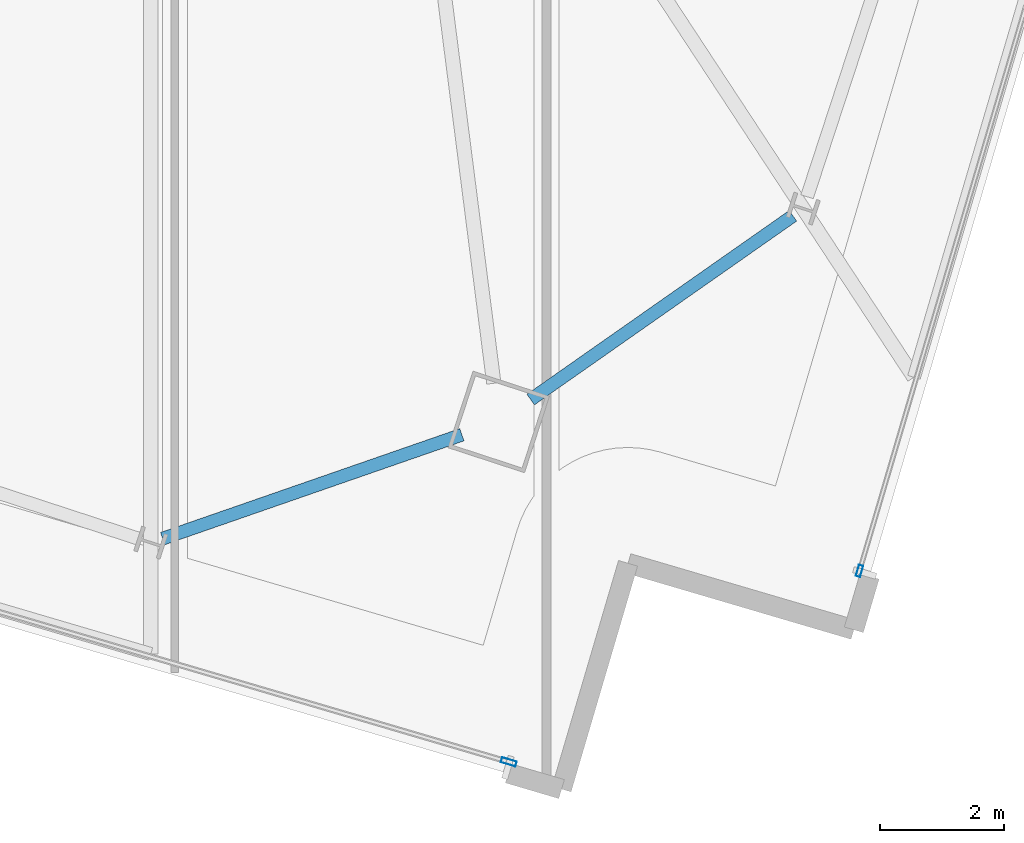
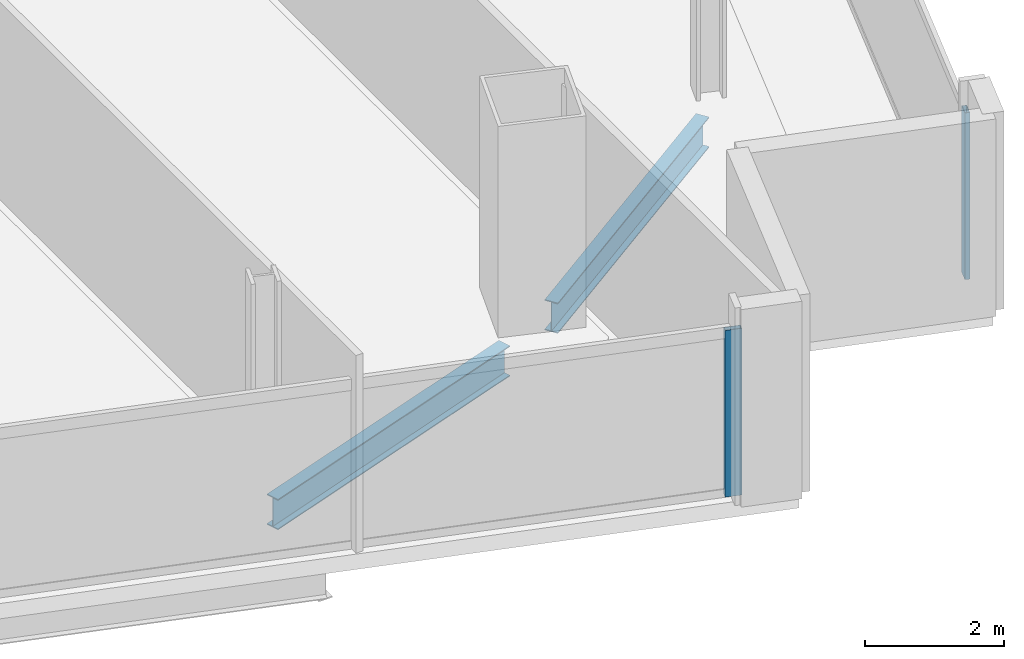
# One storey, part 8 of 26: 2 beams, 2 members, 2 elements without a shape of their own.
"""IFC4 building model written with IfcOpenShell, lengths in metres."""

from ifc_helpers import new_model, si_unit, direction, frame, origin, origin_2d, place, context, subcontext, project, spatial, hollow_rectangle, i_section, extrude, material, material_profile, profile_set, type_object, element, aggregate, save


model = new_model("IFC4")

# Units and contexts
model_context = context("Model", 3, precision=1e-05, world=origin(), true_north=direction((0.0, 1.0)))
body_context = subcontext(model_context, "Body", "Model", "MODEL_VIEW")
ifc_project = project(units=[si_unit("LENGTHUNIT", "METRE"), si_unit("AREAUNIT", "SQUARE_METRE"), si_unit("VOLUMEUNIT", "CUBIC_METRE"), si_unit("PLANEANGLEUNIT", "RADIAN"), si_unit("MASSUNIT", "GRAM", prefix="KILO")], contexts=[model_context])

# Site, building, storey
site_placement = place(None, origin())
site = spatial("IfcSite", under=ifc_project, at=site_placement, CompositionType="ELEMENT")
building_placement = place(site_placement, origin())
building = spatial("IfcBuilding", under=site, at=building_placement, Name="Haldenkirk Collegiate Tower", CompositionType="ELEMENT")
storey_placement = place(building_placement, frame((0.0, 0.0, 274.949951171875)))
storey = spatial("IfcBuildingStorey", under=building, at=storey_placement, Name="L69", CompositionType="ELEMENT", Elevation=274.949951171875)

# Beams
ifc_material_1 = material(Name="Steel ASTM A992 Grade 50", Category="steel")
ifc_material_profile_1 = material_profile(ifc_material_1, i_section(OverallWidth=0.2099609375, OverallDepth=0.537109375, WebThickness=0.010986328125, FlangeThickness=0.017333984375, at=origin_2d()), Name="W21X68")
ifc_profile_set_1 = profile_set([ifc_material_profile_1], Name="Steel ASTM A992 Grade 50")
beam_type = type_object("IfcBeamType", Name="BM-SPANDREL-W21X68", PredefinedType="SPANDREL", material=ifc_profile_set_1)
beam_1_placement = place(storey_placement, frame((47.243896484375, 4.805908203125, -0.538330078125), z_axis=(0.818943373955, 0.573874333156, 0.0), x_axis=(-0.573874333156, 0.818943373955, 0.0)))
element("IfcBeam", 1, at=beam_1_placement, inside=storey, type_object=beam_type, Name="L69 perimeter spandrel beam 01", PredefinedType="SPANDREL", context=body_context, shape_type="SweptSolid", body=[
    extrude(i_section(OverallWidth=0.2099609375, OverallDepth=0.537109375, WebThickness=0.010986328125, FlangeThickness=0.017333984375, at=origin_2d()), origin(), (0.0, 0.0, 1.0), 5.16943359375),
])
beam_2_placement = place(storey_placement, frame((41.302490234375, 2.56103515625, -0.538330078125), z_axis=(0.944700169719, 0.327935343221, 0.0), x_axis=(-0.327935343221, 0.944700169719, 0.0)))
element("IfcBeam", 2, at=beam_2_placement, inside=storey, type_object=beam_type, Name="L69 perimeter spandrel beam 16", PredefinedType="SPANDREL", context=body_context, shape_type="SweptSolid", body=[
    extrude(i_section(OverallWidth=0.2099609375, OverallDepth=0.537109375, WebThickness=0.010986328125, FlangeThickness=0.017333984375, at=origin_2d()), origin(), (0.0, 0.0, 1.0), 5.113037109375),
])

# Curtain wall, member
ifc_material_2 = material(Name="Anodised architectural bronze aluminium", Category="aluminium")
curtain_wall_type_1 = type_object("IfcCurtainWallType", Name="CW-SYS2-CONCAVE", PredefinedType="USERDEFINED", material=ifc_material_2)
curtain_wall_1_placement = place(storey_placement, origin())
curtain_wall_1 = element("IfcCurtainWall", 3, at=curtain_wall_1_placement, inside=storey, type_object=curtain_wall_type_1, Name="L69 South concave recessed bronze-anodised curtain wall", ObjectType="UNITISED CURTAIN WALL", PredefinedType="USERDEFINED")
ifc_material_profile_2 = material_profile(ifc_material_2, hollow_rectangle(XDim=0.074951171875, YDim=0.18994140625, WallThickness=0.0048828125, at=origin_2d()), Name="CW-MUL-02")
ifc_profile_set_2 = profile_set([ifc_material_profile_2], Name="Anodised architectural bronze aluminium")
member_type_1 = type_object("IfcMemberType", Name="CW-MUL-02", PredefinedType="MULLION", material=ifc_profile_set_2)
member_1_placement = place(storey_placement, frame((52.55322265625, 2.0390625, 0.0), z_axis=(0.0, 0.0, 1.0), x_axis=(0.9593141571, -0.282340836558, 0.0)))
member_1 = element("IfcMember", 4, at=member_1_placement, type_object=member_type_1, Name="CW-02 mullion 4", PredefinedType="MULLION", context=body_context, shape_type="SweptSolid", body=[
    extrude(hollow_rectangle(XDim=0.074951171875, YDim=0.18994140625, WallThickness=0.0048828125, at=origin_2d()), origin(), (0.0, 0.0, 1.0), 2.93798828125),
])
aggregate(curtain_wall_1, [member_1])

curtain_wall_type_2 = type_object("IfcCurtainWallType", Name="CW-SYS1B-CONVEX-HI", PredefinedType="USERDEFINED", material=ifc_material_2)
curtain_wall_2_placement = place(storey_placement, origin())
curtain_wall_2 = element("IfcCurtainWall", 5, at=curtain_wall_2_placement, inside=storey, type_object=curtain_wall_type_2, Name="L69 Upper tower high-wind convex bronze unitised curtain wall", ObjectType="UNITISED CURTAIN WALL", PredefinedType="USERDEFINED")
ifc_material_profile_3 = material_profile(ifc_material_2, hollow_rectangle(XDim=0.0849609375, YDim=0.25, WallThickness=0.0048828125, at=origin_2d()), Name="CW-MUL-1B")
ifc_profile_set_3 = profile_set([ifc_material_profile_3], Name="Anodised architectural bronze aluminium")
member_type_2 = type_object("IfcMemberType", Name="CW-MUL-1B", PredefinedType="MULLION", material=ifc_profile_set_3)
member_2_placement = place(storey_placement, frame((46.8896484375, -1.044921875, 0.0), z_axis=(0.0, 0.0, 1.0), x_axis=(-0.282341816085, -0.959313868809, 0.0)))
member_2 = element("IfcMember", 6, at=member_2_placement, type_object=member_type_2, Name="CW-1B mullion 1", PredefinedType="MULLION", context=body_context, shape_type="SweptSolid", body=[
    extrude(hollow_rectangle(XDim=0.0849609375, YDim=0.25, WallThickness=0.0048828125, at=origin_2d()), origin(), (0.0, 0.0, 1.0), 2.93798828125),
])
aggregate(curtain_wall_2, [member_2])

save(model, "model.ifc")
